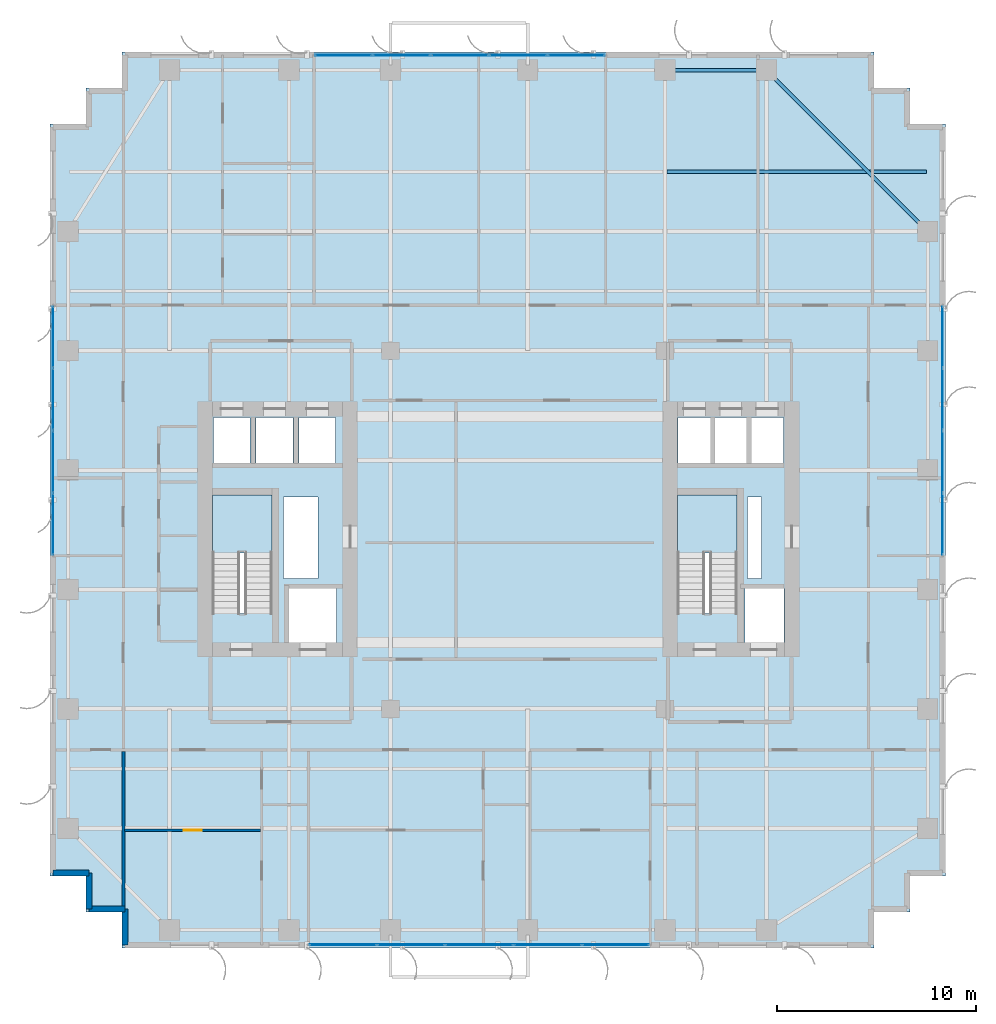
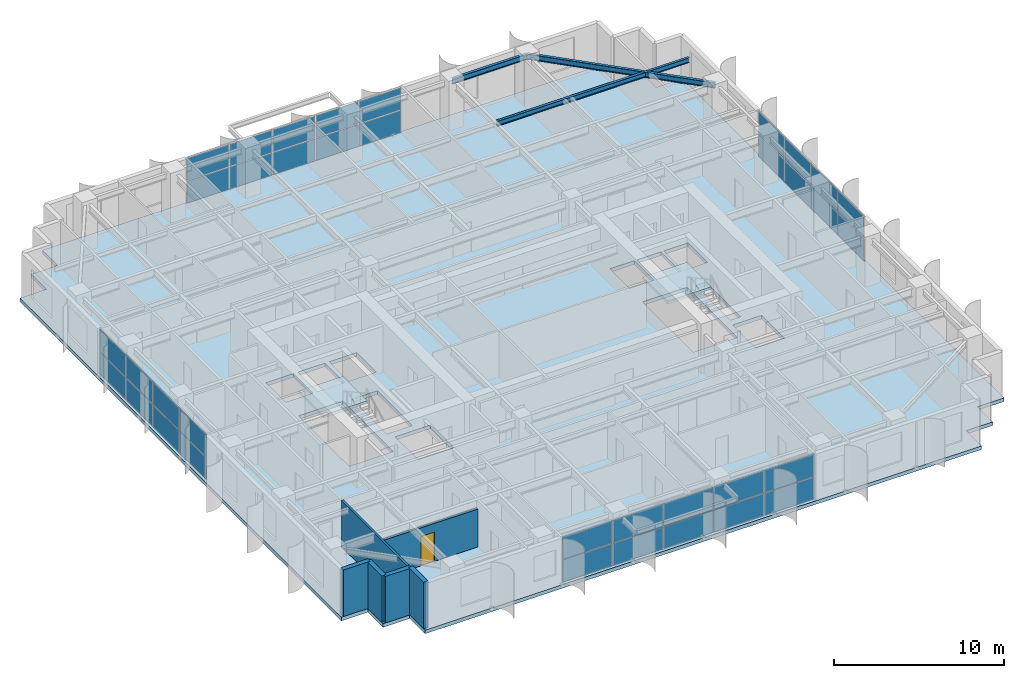
# One storey, part 19 of 27: 36 plates, 6 walls, 3 beams, 3 slabs, 1 door, 1 opening, 6 elements without a shape of their own.
"""IFC4 building model written with IfcOpenShell, lengths in metres."""

from ifc_helpers import new_model, si_unit, direction, frame, frame_2d, origin, origin_2d, place, context, subcontext, project, spatial, polyline, rectangle, i_section, outline, extrude, source, transform, mapped, material, layer, layer_set, material_profile, profile_set, type_object, element, fill, aggregate, save


model = new_model("IFC4")

# Units and contexts
model_context = context("Model", 3, precision=1e-05, world=origin(), true_north=direction((0.0, 1.0)))
body_context = subcontext(model_context, "Body", "Model", "MODEL_VIEW")
ifc_project = project(units=[si_unit("LENGTHUNIT", "METRE"), si_unit("AREAUNIT", "SQUARE_METRE"), si_unit("VOLUMEUNIT", "CUBIC_METRE"), si_unit("PLANEANGLEUNIT", "RADIAN"), si_unit("MASSUNIT", "GRAM", prefix="KILO")], contexts=[model_context])

# Site, building, storey
site_placement = place(None, origin())
site = spatial("IfcSite", under=ifc_project, at=site_placement, CompositionType="ELEMENT")
building_placement = place(site_placement, origin())
building = spatial("IfcBuilding", under=site, at=building_placement, Name="Khoralis Quay Care Tower", CompositionType="ELEMENT")
storey_placement = place(building_placement, frame((0.0, 0.0, 105.300048828125)))
storey = spatial("IfcBuildingStorey", under=building, at=storey_placement, Name="L27", CompositionType="ELEMENT", Elevation=105.300048828125)

# Beams
ifc_material_1 = material(Name="Steel S355", Category="steel")
ifc_material_profile_1 = material_profile(ifc_material_1, i_section(OverallWidth=0.179931640625, OverallDepth=0.39990234375, WebThickness=0.008544921875, FlangeThickness=0.013427734375, FilletRadius=0.02099609375, at=origin_2d()), Name="Steel S355")
ifc_profile_set_1 = profile_set([ifc_material_profile_1], Name="Steel S355")
beam_type_1 = type_object("IfcBeamType", Name="BM-IPE400", PredefinedType="SPANDREL", material=ifc_profile_set_1)
shared_shape_1 = source(origin(), body_context, "Body", "SweptSolid", [
    extrude(i_section(OverallWidth=0.179931640625, OverallDepth=0.39990234375, WebThickness=0.008544921875, FlangeThickness=0.013427734375, FilletRadius=0.02099609375, at=origin_2d()), origin(), (0.0, 0.0, 1.0), 5.10009765625),
])
beam_1_placement = place(storey_placement, frame((30.89990234375, 44.10009765625, 3.139892578125), z_axis=(1.0, 0.0, 0.0), x_axis=(0.0, 1.0, 0.0)))
element("IfcBeam", 1, at=beam_1_placement, inside=storey, type_object=beam_type_1, Name="BM-TSP-L27-10", PredefinedType="SPANDREL", context=body_context, shape_type="MappedRepresentation", body=[
    mapped(shared_shape_1, transform((0.0, 0.0, 0.0), scale=1.0)),
])
shared_shape_2 = source(origin(), body_context, "Body", "SweptSolid", [
    extrude(i_section(OverallWidth=0.179931640625, OverallDepth=0.39990234375, WebThickness=0.008544921875, FlangeThickness=0.013427734375, FilletRadius=0.02099609375, at=origin_2d()), origin(), (0.0, 0.0, 1.0), 11.455322265625),
])
beam_2_placement = place(storey_placement, frame((36.0, 44.10009765625, 3.139892578125), z_axis=(0.707106781187, -0.707106781187, 0.0), x_axis=(0.707106781187, 0.707106781187, 0.0)))
element("IfcBeam", 2, at=beam_2_placement, inside=storey, type_object=beam_type_1, Name="BM-TCR-L27-24", PredefinedType="SPANDREL", context=body_context, shape_type="MappedRepresentation", body=[
    mapped(shared_shape_2, transform((0.0, 0.0, 0.0), scale=1.0)),
])
ifc_material_profile_2 = material_profile(ifc_material_1, i_section(OverallWidth=0.1708984375, OverallDepth=0.35498046875, WebThickness=0.007080078125, FlangeThickness=0.01171875, FilletRadius=0.012939453125, at=origin_2d()), Name="Steel S355")
ifc_profile_set_2 = profile_set([ifc_material_profile_2], Name="Steel S355")
beam_type_2 = type_object("IfcBeamType", Name="BM-W360X51", PredefinedType="JOIST", material=ifc_profile_set_2)
shared_shape_3 = source(origin(), body_context, "Body", "SweptSolid", [
    extrude(i_section(OverallWidth=0.1708984375, OverallDepth=0.35498046875, WebThickness=0.007080078125, FlangeThickness=0.01171875, FilletRadius=0.012939453125, at=origin_2d()), origin(), (0.0, 0.0, 1.0), 13.030029296875),
])
beam_3_placement = place(storey_placement, frame((30.993896484375, 39.0, 3.162353515625), z_axis=(1.0, 0.0, 0.0), x_axis=(0.0, 1.0, 0.0)))
element("IfcBeam", 3, at=beam_3_placement, inside=storey, type_object=beam_type_2, Name="BM-TJS-L27-32", PredefinedType="JOIST", context=body_context, shape_type="MappedRepresentation", body=[
    mapped(shared_shape_3, transform((0.0, 0.0, 0.0), scale=1.0)),
])

# Stair, slab
ifc_material_2 = material(Name="Precast concrete C45/55", Category="concrete")
stair_type = type_object("IfcStairType", Name="ST-TWR-DOGLEG-1400", PredefinedType="HALF_TURN_STAIR", material=ifc_material_2)
stair_1_placement = place(storey_placement, origin())
stair_1 = element("IfcStair", 4, at=stair_1_placement, inside=storey, type_object=stair_type, Name="L27 West Core Exit Stair ST-T1", PredefinedType="HALF_TURN_STAIR")
ifc_layer_1 = layer(ifc_material_2, 0.199951171875)
ifc_layer_set_1 = layer_set([ifc_layer_1], Name="Precast concrete C45/55")
slab_type_1 = type_object("IfcSlabType", Name="SLB-LANDING-200", PredefinedType="LANDING", material=ifc_layer_set_1)
slab_1_placement = place(storey_placement, frame((0.0, 0.0, 1.599853515625)))
slab_1 = element("IfcSlab", 5, at=slab_1_placement, type_object=slab_type_1, Name="ST-T1 landing 1", PredefinedType="LANDING", context=body_context, shape_type="SweptSolid", body=[
    extrude(outline(polyline([(11.14990234375, 19.840087890625), (11.14990234375, 22.75), (8.14990234375, 22.75), (8.14990234375, 19.840087890625), (11.14990234375, 19.840087890625)])), origin(), (0.0, 0.0, 1.0), 0.2001953125),
])
aggregate(stair_1, [slab_1])

stair_2_placement = place(storey_placement, origin())
stair_2 = element("IfcStair", 6, at=stair_2_placement, inside=storey, type_object=stair_type, Name="L27 East Core Exit Stair ST-T2", PredefinedType="HALF_TURN_STAIR")
slab_2_placement = place(storey_placement, frame((0.0, 0.0, 1.599853515625)))
slab_2 = element("IfcSlab", 7, at=slab_2_placement, type_object=slab_type_1, Name="ST-T2 landing 1", PredefinedType="LANDING", context=body_context, shape_type="SweptSolid", body=[
    extrude(outline(polyline([(34.52001953125, 19.840087890625), (34.52001953125, 22.75), (31.52001953125, 22.75), (31.52001953125, 19.840087890625), (34.52001953125, 19.840087890625)])), origin(), (0.0, 0.0, 1.0), 0.2001953125),
])
aggregate(stair_2, [slab_2])

# Slab
ifc_material_3 = material(Name="Concrete C40/50", Category="concrete")
ifc_layer_2 = layer(ifc_material_3, 0.260009765625)
ifc_layer_set_2 = layer_set([ifc_layer_2], Name="Concrete C40/50")
slab_type_2 = type_object("IfcSlabType", Name="SLB-TWR-260", PredefinedType="FLOOR", material=ifc_layer_set_2)
slab_3_placement = place(storey_placement, frame((0.0, 0.0, -0.260009765625)))
element("IfcSlab", 8, at=slab_3_placement, inside=storey, type_object=slab_type_2, Name="Tower Floor Slab L27", PredefinedType="FLOOR", context=body_context, shape_type="SweptSolid", body=[
    extrude(outline(polyline([(3.60009765625, 0.0), (41.39990234375, 0.0), (41.39990234375, 1.800048828125), (43.199951171875, 1.800048828125), (43.199951171875, 3.60009765625), (45.0, 3.60009765625), (45.0, 41.39990234375), (43.199951171875, 41.39990234375), (43.199951171875, 43.199951171875), (41.39990234375, 43.199951171875), (41.39990234375, 45.0), (3.60009765625, 45.0), (3.60009765625, 43.199951171875), (1.800048828125, 43.199951171875), (1.800048828125, 41.39990234375), (0.0, 41.39990234375), (0.0, 3.60009765625), (1.800048828125, 3.60009765625), (1.800048828125, 1.800048828125), (3.60009765625, 1.800048828125), (3.60009765625, 0.0)]), holes=[polyline([(11.14990234375, 16.800048828125), (11.14990234375, 22.75), (8.14990234375, 22.75), (8.14990234375, 16.800048828125), (11.14990234375, 16.800048828125)]), polyline([(34.52001953125, 16.800048828125), (34.52001953125, 22.75), (31.52001953125, 22.75), (31.52001953125, 16.800048828125), (34.52001953125, 16.800048828125)]), polyline([(12.0, 15.35009765625), (14.39990234375, 15.35009765625), (14.39990234375, 18.050048828125), (12.0, 18.050048828125), (12.0, 15.35009765625)]), polyline([(34.919921875, 15.35009765625), (36.8798828125, 15.35009765625), (36.8798828125, 18.050048828125), (34.919921875, 18.050048828125), (34.919921875, 15.35009765625)]), polyline([(8.199951171875, 24.35009765625), (10.050048828125, 24.35009765625), (10.050048828125, 26.64990234375), (8.199951171875, 26.64990234375), (8.199951171875, 24.35009765625)]), polyline([(31.550048828125, 24.35009765625), (33.199951171875, 24.35009765625), (33.199951171875, 26.64990234375), (31.550048828125, 26.64990234375), (31.550048828125, 24.35009765625)]), polyline([(10.35009765625, 24.35009765625), (12.199951171875, 24.35009765625), (12.199951171875, 26.64990234375), (10.35009765625, 26.64990234375), (10.35009765625, 24.35009765625)]), polyline([(33.3798828125, 24.35009765625), (35.030029296875, 24.35009765625), (35.030029296875, 26.64990234375), (33.3798828125, 26.64990234375), (33.3798828125, 24.35009765625)]), polyline([(12.5, 24.35009765625), (14.35009765625, 24.35009765625), (14.35009765625, 26.64990234375), (12.5, 26.64990234375), (12.5, 24.35009765625)]), polyline([(35.199951171875, 24.35009765625), (36.85009765625, 24.35009765625), (36.85009765625, 26.64990234375), (35.199951171875, 26.64990234375), (35.199951171875, 24.35009765625)]), polyline([(11.719970703125, 18.550048828125), (13.449951171875, 18.550048828125), (13.449951171875, 22.64990234375), (11.719970703125, 22.64990234375), (11.719970703125, 18.550048828125)]), polyline([(35.050048828125, 18.550048828125), (35.75, 18.550048828125), (35.75, 22.64990234375), (35.050048828125, 22.64990234375), (35.050048828125, 18.550048828125)])]), origin(), (0.0, 0.0, 1.0), 0.260009765625),
])

# Curtain wall, plates
ifc_material_4 = material(Name="Pale anodised aluminium", Category="aluminium")
ifc_layer_3 = layer(ifc_material_4, 0.169921875)
ifc_layer_set_3 = layer_set([ifc_layer_3], Name="Pale anodised aluminium")
curtain_wall_type = type_object("IfcCurtainWallType", Name="CW-SYS-Z2", PredefinedType="NOTDEFINED", material=ifc_layer_set_3)
curtain_wall_1_placement = place(storey_placement, origin())
curtain_wall_1 = element("IfcCurtainWall", 9, at=curtain_wall_1_placement, inside=storey, type_object=curtain_wall_type, Name="L27 Unitised Curtain Wall CW-L27-P1-E0", PredefinedType="NOTDEFINED")
ifc_material_5 = material(Name="Low-E solar-control double glazing", Category="glass")
ifc_layer_4 = layer(ifc_material_5, 0.031982421875)
ifc_layer_set_4 = layer_set([ifc_layer_4], Name="Low-E solar-control double glazing")
plate_type = type_object("IfcPlateType", Name="PNL-VIS-32", PredefinedType="CURTAIN_PANEL", material=ifc_layer_set_4)
shared_shape_4 = source(origin(), body_context, "Body", "SweptSolid", [
    extrude(rectangle(XDim=3.343994140625, YDim=0.028076171875, at=origin_2d()), origin(), (0.0, 0.0, 1.0), 1.580078125),
])
plate_1_placement = place(storey_placement, frame((14.7119140625, 0.14990234375, 0.059814453125), z_axis=(0.0, 0.0, 1.0), x_axis=(1.0, 0.0, 0.0)))
plate_1 = element("IfcPlate", 10, at=plate_1_placement, type_object=plate_type, Name="CW2 panel 1.1", PredefinedType="CURTAIN_PANEL", context=body_context, shape_type="MappedRepresentation", body=[
    mapped(shared_shape_4, transform((0.0, 0.0, 0.0), scale=1.0)),
])
plate_2_placement = place(storey_placement, frame((14.7119140625, 0.14990234375, 1.699951171875), z_axis=(0.0, 0.0, 1.0), x_axis=(1.0, 0.0, 0.0)))
plate_2 = element("IfcPlate", 11, at=plate_2_placement, type_object=plate_type, Name="CW2 panel 1.2", PredefinedType="CURTAIN_PANEL", context=body_context, shape_type="MappedRepresentation", body=[
    mapped(shared_shape_4, transform((0.0, 0.0, 0.0), scale=1.0)),
])
plate_3_placement = place(storey_placement, frame((28.41796875, 0.14990234375, 0.059814453125), z_axis=(0.0, 0.0, 1.0), x_axis=(1.0, 0.0, 0.0)))
plate_3 = element("IfcPlate", 12, at=plate_3_placement, type_object=plate_type, Name="CW2 panel 5.1", PredefinedType="CURTAIN_PANEL", context=body_context, shape_type="MappedRepresentation", body=[
    mapped(shared_shape_4, transform((0.0, 0.0, 0.0), scale=1.0)),
])
plate_4_placement = place(storey_placement, frame((28.41796875, 0.14990234375, 1.699951171875), z_axis=(0.0, 0.0, 1.0), x_axis=(1.0, 0.0, 0.0)))
plate_4 = element("IfcPlate", 13, at=plate_4_placement, type_object=plate_type, Name="CW2 panel 5.2", PredefinedType="CURTAIN_PANEL", context=body_context, shape_type="MappedRepresentation", body=[
    mapped(shared_shape_4, transform((0.0, 0.0, 0.0), scale=1.0)),
])
shared_shape_5 = source(origin(), body_context, "Body", "SweptSolid", [
    extrude(rectangle(XDim=3.3740234375, YDim=0.028076171875, at=origin_2d()), origin(), (0.0, 0.0, 1.0), 1.580078125),
])
plate_5_placement = place(storey_placement, frame((18.131103515625, 0.14990234375, 0.059814453125), z_axis=(0.0, 0.0, 1.0), x_axis=(1.0, 0.0, 0.0)))
plate_5 = element("IfcPlate", 14, at=plate_5_placement, type_object=plate_type, Name="CW2 panel 2.1", PredefinedType="CURTAIN_PANEL", context=body_context, shape_type="MappedRepresentation", body=[
    mapped(shared_shape_5, transform((0.0, 0.0, 0.0), scale=1.0)),
])
plate_6_placement = place(storey_placement, frame((18.131103515625, 0.14990234375, 1.699951171875), z_axis=(0.0, 0.0, 1.0), x_axis=(1.0, 0.0, 0.0)))
plate_6 = element("IfcPlate", 15, at=plate_6_placement, type_object=plate_type, Name="CW2 panel 2.2", PredefinedType="CURTAIN_PANEL", context=body_context, shape_type="MappedRepresentation", body=[
    mapped(shared_shape_5, transform((0.0, 0.0, 0.0), scale=1.0)),
])
plate_7_placement = place(storey_placement, frame((21.56494140625, 0.14990234375, 0.059814453125), z_axis=(0.0, 0.0, 1.0), x_axis=(1.0, 0.0, 0.0)))
plate_7 = element("IfcPlate", 16, at=plate_7_placement, type_object=plate_type, Name="CW2 panel 3.1", PredefinedType="CURTAIN_PANEL", context=body_context, shape_type="MappedRepresentation", body=[
    mapped(shared_shape_5, transform((0.0, 0.0, 0.0), scale=1.0)),
])
plate_8_placement = place(storey_placement, frame((21.56494140625, 0.14990234375, 1.699951171875), z_axis=(0.0, 0.0, 1.0), x_axis=(1.0, 0.0, 0.0)))
plate_8 = element("IfcPlate", 17, at=plate_8_placement, type_object=plate_type, Name="CW2 panel 3.2", PredefinedType="CURTAIN_PANEL", context=body_context, shape_type="MappedRepresentation", body=[
    mapped(shared_shape_5, transform((0.0, 0.0, 0.0), scale=1.0)),
])
plate_9_placement = place(storey_placement, frame((24.9990234375, 0.14990234375, 0.059814453125), z_axis=(0.0, 0.0, 1.0), x_axis=(1.0, 0.0, 0.0)))
plate_9 = element("IfcPlate", 18, at=plate_9_placement, type_object=plate_type, Name="CW2 panel 4.1", PredefinedType="CURTAIN_PANEL", context=body_context, shape_type="MappedRepresentation", body=[
    mapped(shared_shape_5, transform((0.0, 0.0, 0.0), scale=1.0)),
])
plate_10_placement = place(storey_placement, frame((24.9990234375, 0.14990234375, 1.699951171875), z_axis=(0.0, 0.0, 1.0), x_axis=(1.0, 0.0, 0.0)))
plate_10 = element("IfcPlate", 19, at=plate_10_placement, type_object=plate_type, Name="CW2 panel 4.2", PredefinedType="CURTAIN_PANEL", context=body_context, shape_type="MappedRepresentation", body=[
    mapped(shared_shape_5, transform((0.0, 0.0, 0.0), scale=1.0)),
])
aggregate(curtain_wall_1, [plate_1, plate_2, plate_5, plate_6, plate_7, plate_8, plate_9, plate_10, plate_3, plate_4])

curtain_wall_2_placement = place(storey_placement, origin())
curtain_wall_2 = element("IfcCurtainWall", 20, at=curtain_wall_2_placement, inside=storey, type_object=curtain_wall_type, Name="L27 Unitised Curtain Wall CW-L27-P1-E5", PredefinedType="NOTDEFINED")
shared_shape_6 = source(origin(), body_context, "Body", "SweptSolid", [
    extrude(rectangle(XDim=3.054931640625, YDim=0.028076171875, at=origin_2d()), origin(), (0.0, 0.0, 1.0), 1.580078125),
])
plate_11_placement = place(storey_placement, frame((44.85009765625, 21.28759765625, 0.059814453125), z_axis=(0.0, 0.0, 1.0), x_axis=(0.0, 1.0, 0.0)))
plate_11 = element("IfcPlate", 21, at=plate_11_placement, type_object=plate_type, Name="CW2 panel 1.1", PredefinedType="CURTAIN_PANEL", context=body_context, shape_type="MappedRepresentation", body=[
    mapped(shared_shape_6, transform((0.0, 0.0, 0.0), scale=1.0)),
])
plate_12_placement = place(storey_placement, frame((44.85009765625, 21.28759765625, 1.699951171875), z_axis=(0.0, 0.0, 1.0), x_axis=(0.0, 1.0, 0.0)))
plate_12 = element("IfcPlate", 22, at=plate_12_placement, type_object=plate_type, Name="CW2 panel 1.2", PredefinedType="CURTAIN_PANEL", context=body_context, shape_type="MappedRepresentation", body=[
    mapped(shared_shape_6, transform((0.0, 0.0, 0.0), scale=1.0)),
])
plate_13_placement = place(storey_placement, frame((44.85009765625, 30.6923828125, 0.059814453125), z_axis=(0.0, 0.0, 1.0), x_axis=(0.0, 1.0, 0.0)))
plate_13 = element("IfcPlate", 23, at=plate_13_placement, type_object=plate_type, Name="CW2 panel 4.1", PredefinedType="CURTAIN_PANEL", context=body_context, shape_type="MappedRepresentation", body=[
    mapped(shared_shape_6, transform((0.0, 0.0, 0.0), scale=1.0)),
])
plate_14_placement = place(storey_placement, frame((44.85009765625, 30.6923828125, 1.699951171875), z_axis=(0.0, 0.0, 1.0), x_axis=(0.0, 1.0, 0.0)))
plate_14 = element("IfcPlate", 24, at=plate_14_placement, type_object=plate_type, Name="CW2 panel 4.2", PredefinedType="CURTAIN_PANEL", context=body_context, shape_type="MappedRepresentation", body=[
    mapped(shared_shape_6, transform((0.0, 0.0, 0.0), scale=1.0)),
])

curtain_wall_3_placement = place(storey_placement, origin())
curtain_wall_3 = element("IfcCurtainWall", 25, at=curtain_wall_3_placement, inside=storey, type_object=curtain_wall_type, Name="L27 Unitised Curtain Wall CW-L27-P1-E15", PredefinedType="NOTDEFINED")
plate_15_placement = place(storey_placement, frame((0.14990234375, 30.6923828125, 0.059814453125), z_axis=(0.0, 0.0, 1.0), x_axis=(0.0, -1.0, 0.0)))
plate_15 = element("IfcPlate", 26, at=plate_15_placement, type_object=plate_type, Name="CW2 panel 1.1", PredefinedType="CURTAIN_PANEL", context=body_context, shape_type="MappedRepresentation", body=[
    mapped(shared_shape_6, transform((0.0, 0.0, 0.0), scale=1.0)),
])
plate_16_placement = place(storey_placement, frame((0.14990234375, 30.6923828125, 1.699951171875), z_axis=(0.0, 0.0, 1.0), x_axis=(0.0, -1.0, 0.0)))
plate_16 = element("IfcPlate", 27, at=plate_16_placement, type_object=plate_type, Name="CW2 panel 1.2", PredefinedType="CURTAIN_PANEL", context=body_context, shape_type="MappedRepresentation", body=[
    mapped(shared_shape_6, transform((0.0, 0.0, 0.0), scale=1.0)),
])
plate_17_placement = place(storey_placement, frame((0.14990234375, 21.28759765625, 0.059814453125), z_axis=(0.0, 0.0, 1.0), x_axis=(0.0, -1.0, 0.0)))
plate_17 = element("IfcPlate", 28, at=plate_17_placement, type_object=plate_type, Name="CW2 panel 4.1", PredefinedType="CURTAIN_PANEL", context=body_context, shape_type="MappedRepresentation", body=[
    mapped(shared_shape_6, transform((0.0, 0.0, 0.0), scale=1.0)),
])
plate_18_placement = place(storey_placement, frame((0.14990234375, 21.28759765625, 1.699951171875), z_axis=(0.0, 0.0, 1.0), x_axis=(0.0, -1.0, 0.0)))
plate_18 = element("IfcPlate", 29, at=plate_18_placement, type_object=plate_type, Name="CW2 panel 4.2", PredefinedType="CURTAIN_PANEL", context=body_context, shape_type="MappedRepresentation", body=[
    mapped(shared_shape_6, transform((0.0, 0.0, 0.0), scale=1.0)),
])

# Plate
shared_shape_7 = source(origin(), body_context, "Body", "SweptSolid", [
    extrude(rectangle(XDim=3.0849609375, YDim=0.028076171875, at=origin_2d()), origin(), (0.0, 0.0, 1.0), 1.580078125),
])
plate_19_placement = place(storey_placement, frame((44.85009765625, 24.41748046875, 0.059814453125), z_axis=(0.0, 0.0, 1.0), x_axis=(0.0, 1.0, 0.0)))
plate_19 = element("IfcPlate", 30, at=plate_19_placement, type_object=plate_type, Name="CW2 panel 2.1", PredefinedType="CURTAIN_PANEL", context=body_context, shape_type="MappedRepresentation", body=[
    mapped(shared_shape_7, transform((0.0, 0.0, 0.0), scale=1.0)),
])

plate_20_placement = place(storey_placement, frame((44.85009765625, 24.41748046875, 1.699951171875), z_axis=(0.0, 0.0, 1.0), x_axis=(0.0, 1.0, 0.0)))
plate_20 = element("IfcPlate", 31, at=plate_20_placement, type_object=plate_type, Name="CW2 panel 2.2", PredefinedType="CURTAIN_PANEL", context=body_context, shape_type="MappedRepresentation", body=[
    mapped(shared_shape_7, transform((0.0, 0.0, 0.0), scale=1.0)),
])

plate_21_placement = place(storey_placement, frame((44.85009765625, 27.5625, 0.059814453125), z_axis=(0.0, 0.0, 1.0), x_axis=(0.0, 1.0, 0.0)))
plate_21 = element("IfcPlate", 32, at=plate_21_placement, type_object=plate_type, Name="CW2 panel 3.1", PredefinedType="CURTAIN_PANEL", context=body_context, shape_type="MappedRepresentation", body=[
    mapped(shared_shape_7, transform((0.0, 0.0, 0.0), scale=1.0)),
])

plate_22_placement = place(storey_placement, frame((44.85009765625, 27.5625, 1.699951171875), z_axis=(0.0, 0.0, 1.0), x_axis=(0.0, 1.0, 0.0)))
plate_22 = element("IfcPlate", 33, at=plate_22_placement, type_object=plate_type, Name="CW2 panel 3.2", PredefinedType="CURTAIN_PANEL", context=body_context, shape_type="MappedRepresentation", body=[
    mapped(shared_shape_7, transform((0.0, 0.0, 0.0), scale=1.0)),
])

aggregate(curtain_wall_2, [plate_11, plate_12, plate_19, plate_20, plate_21, plate_22, plate_13, plate_14])

plate_23_placement = place(storey_placement, frame((0.14990234375, 27.5625, 0.059814453125), z_axis=(0.0, 0.0, 1.0), x_axis=(0.0, -1.0, 0.0)))
plate_23 = element("IfcPlate", 34, at=plate_23_placement, type_object=plate_type, Name="CW2 panel 2.1", PredefinedType="CURTAIN_PANEL", context=body_context, shape_type="MappedRepresentation", body=[
    mapped(shared_shape_7, transform((0.0, 0.0, 0.0), scale=1.0)),
])

plate_24_placement = place(storey_placement, frame((0.14990234375, 27.5625, 1.699951171875), z_axis=(0.0, 0.0, 1.0), x_axis=(0.0, -1.0, 0.0)))
plate_24 = element("IfcPlate", 35, at=plate_24_placement, type_object=plate_type, Name="CW2 panel 2.2", PredefinedType="CURTAIN_PANEL", context=body_context, shape_type="MappedRepresentation", body=[
    mapped(shared_shape_7, transform((0.0, 0.0, 0.0), scale=1.0)),
])

plate_25_placement = place(storey_placement, frame((0.14990234375, 24.41748046875, 0.059814453125), z_axis=(0.0, 0.0, 1.0), x_axis=(0.0, -1.0, 0.0)))
plate_25 = element("IfcPlate", 36, at=plate_25_placement, type_object=plate_type, Name="CW2 panel 3.1", PredefinedType="CURTAIN_PANEL", context=body_context, shape_type="MappedRepresentation", body=[
    mapped(shared_shape_7, transform((0.0, 0.0, 0.0), scale=1.0)),
])

plate_26_placement = place(storey_placement, frame((0.14990234375, 24.41748046875, 1.699951171875), z_axis=(0.0, 0.0, 1.0), x_axis=(0.0, -1.0, 0.0)))
plate_26 = element("IfcPlate", 37, at=plate_26_placement, type_object=plate_type, Name="CW2 panel 3.2", PredefinedType="CURTAIN_PANEL", context=body_context, shape_type="MappedRepresentation", body=[
    mapped(shared_shape_7, transform((0.0, 0.0, 0.0), scale=1.0)),
])

aggregate(curtain_wall_3, [plate_15, plate_16, plate_23, plate_24, plate_25, plate_26, plate_17, plate_18])

# Curtain wall, plates
curtain_wall_4_placement = place(storey_placement, origin())
curtain_wall_4 = element("IfcCurtainWall", 38, at=curtain_wall_4_placement, inside=storey, type_object=curtain_wall_type, Name="L27 Unitised Curtain Wall CW-L27-P1-E10", PredefinedType="NOTDEFINED")
shared_shape_8 = source(origin(), body_context, "Body", "SweptSolid", [
    extrude(rectangle(XDim=2.842041015625, YDim=0.028076171875, at=origin_2d()), origin(), (0.0, 0.0, 1.0), 1.580078125),
])
plate_27_placement = place(storey_placement, frame((26.43896484375, 44.85009765625, 0.059814453125), z_axis=(0.0, 0.0, 1.0), x_axis=(-1.0, 0.0, 0.0)))
plate_27 = element("IfcPlate", 39, at=plate_27_placement, type_object=plate_type, Name="CW2 panel 1.1", PredefinedType="CURTAIN_PANEL", context=body_context, shape_type="MappedRepresentation", body=[
    mapped(shared_shape_8, transform((0.0, 0.0, 0.0), scale=1.0)),
])
plate_28_placement = place(storey_placement, frame((26.43896484375, 44.85009765625, 1.699951171875), z_axis=(0.0, 0.0, 1.0), x_axis=(-1.0, 0.0, 0.0)))
plate_28 = element("IfcPlate", 40, at=plate_28_placement, type_object=plate_type, Name="CW2 panel 1.2", PredefinedType="CURTAIN_PANEL", context=body_context, shape_type="MappedRepresentation", body=[
    mapped(shared_shape_8, transform((0.0, 0.0, 0.0), scale=1.0)),
])
plate_29_placement = place(storey_placement, frame((14.740966796875, 44.85009765625, 0.059814453125), z_axis=(0.0, 0.0, 1.0), x_axis=(-1.0, 0.0, 0.0)))
plate_29 = element("IfcPlate", 41, at=plate_29_placement, type_object=plate_type, Name="CW2 panel 5.1", PredefinedType="CURTAIN_PANEL", context=body_context, shape_type="MappedRepresentation", body=[
    mapped(shared_shape_8, transform((0.0, 0.0, 0.0), scale=1.0)),
])
plate_30_placement = place(storey_placement, frame((14.740966796875, 44.85009765625, 1.699951171875), z_axis=(0.0, 0.0, 1.0), x_axis=(-1.0, 0.0, 0.0)))
plate_30 = element("IfcPlate", 42, at=plate_30_placement, type_object=plate_type, Name="CW2 panel 5.2", PredefinedType="CURTAIN_PANEL", context=body_context, shape_type="MappedRepresentation", body=[
    mapped(shared_shape_8, transform((0.0, 0.0, 0.0), scale=1.0)),
])
shared_shape_9 = source(origin(), body_context, "Body", "SweptSolid", [
    extrude(rectangle(XDim=2.8720703125, YDim=0.028076171875, at=origin_2d()), origin(), (0.0, 0.0, 1.0), 1.580078125),
])
plate_31_placement = place(storey_placement, frame((23.52197265625, 44.85009765625, 0.059814453125), z_axis=(0.0, 0.0, 1.0), x_axis=(-1.0, 0.0, 0.0)))
plate_31 = element("IfcPlate", 43, at=plate_31_placement, type_object=plate_type, Name="CW2 panel 2.1", PredefinedType="CURTAIN_PANEL", context=body_context, shape_type="MappedRepresentation", body=[
    mapped(shared_shape_9, transform((0.0, 0.0, 0.0), scale=1.0)),
])
plate_32_placement = place(storey_placement, frame((23.52197265625, 44.85009765625, 1.699951171875), z_axis=(0.0, 0.0, 1.0), x_axis=(-1.0, 0.0, 0.0)))
plate_32 = element("IfcPlate", 44, at=plate_32_placement, type_object=plate_type, Name="CW2 panel 2.2", PredefinedType="CURTAIN_PANEL", context=body_context, shape_type="MappedRepresentation", body=[
    mapped(shared_shape_9, transform((0.0, 0.0, 0.0), scale=1.0)),
])
plate_33_placement = place(storey_placement, frame((20.590087890625, 44.85009765625, 0.059814453125), z_axis=(0.0, 0.0, 1.0), x_axis=(-1.0, 0.0, 0.0)))
plate_33 = element("IfcPlate", 45, at=plate_33_placement, type_object=plate_type, Name="CW2 panel 3.1", PredefinedType="CURTAIN_PANEL", context=body_context, shape_type="MappedRepresentation", body=[
    mapped(shared_shape_9, transform((0.0, 0.0, 0.0), scale=1.0)),
])
plate_34_placement = place(storey_placement, frame((20.590087890625, 44.85009765625, 1.699951171875), z_axis=(0.0, 0.0, 1.0), x_axis=(-1.0, 0.0, 0.0)))
plate_34 = element("IfcPlate", 46, at=plate_34_placement, type_object=plate_type, Name="CW2 panel 3.2", PredefinedType="CURTAIN_PANEL", context=body_context, shape_type="MappedRepresentation", body=[
    mapped(shared_shape_9, transform((0.0, 0.0, 0.0), scale=1.0)),
])
plate_35_placement = place(storey_placement, frame((17.657958984375, 44.85009765625, 0.059814453125), z_axis=(0.0, 0.0, 1.0), x_axis=(-1.0, 0.0, 0.0)))
plate_35 = element("IfcPlate", 47, at=plate_35_placement, type_object=plate_type, Name="CW2 panel 4.1", PredefinedType="CURTAIN_PANEL", context=body_context, shape_type="MappedRepresentation", body=[
    mapped(shared_shape_9, transform((0.0, 0.0, 0.0), scale=1.0)),
])
plate_36_placement = place(storey_placement, frame((17.657958984375, 44.85009765625, 1.699951171875), z_axis=(0.0, 0.0, 1.0), x_axis=(-1.0, 0.0, 0.0)))
plate_36 = element("IfcPlate", 48, at=plate_36_placement, type_object=plate_type, Name="CW2 panel 4.2", PredefinedType="CURTAIN_PANEL", context=body_context, shape_type="MappedRepresentation", body=[
    mapped(shared_shape_9, transform((0.0, 0.0, 0.0), scale=1.0)),
])
aggregate(curtain_wall_4, [plate_27, plate_28, plate_31, plate_32, plate_33, plate_34, plate_35, plate_36, plate_29, plate_30])

# Walls
ifc_layer_5 = layer(ifc_material_2, 0.300048828125)
ifc_layer_set_5 = layer_set([ifc_layer_5], Name="Precast concrete C45/55")
wall_type_1 = type_object("IfcWallType", Name="WL-EXT-REF-300", PredefinedType="SOLIDWALL", material=ifc_layer_set_5)
for number, where, z_axis, x_axis, name in (
    (49, (0.14990234375, 3.75, 0.0), (0.0, 0.0, 1.0), (1.0, 0.0, 0.0), "L27 External Facade Wall WL-EXT-L27-P1-C16"),
    (50, (1.949951171875, 3.75, 0.0), (0.0, 0.0, 1.0), (0.0, -1.0, 0.0), "L27 External Facade Wall WL-EXT-L27-P1-C17"),
    (51, (1.949951171875, 1.949951171875, 0.0), (0.0, 0.0, 1.0), (1.0, 0.0, 0.0), "L27 External Facade Wall WL-EXT-L27-P1-C18"),
    (52, (3.75, 1.949951171875, 0.0), (0.0, 0.0, 1.0), (0.0, -1.0, 0.0), "L27 External Facade Wall WL-EXT-L27-P1-C19"),
):
    element("IfcWall", number, at=place(storey_placement, frame(where, z_axis=z_axis, x_axis=x_axis)), inside=storey, type_object=wall_type_1, Name=name, PredefinedType="SOLIDWALL", context=body_context, shape_type="SweptSolid", body=[
        extrude(rectangle(XDim=1.800048828125, YDim=0.300048828125, at=frame_2d((0.89990234375, 0.0))), origin(), (0.0, 0.0, 1.0), 3.33984375),
    ])
ifc_material_6 = material(Name="Gypsum plasterboard on acoustic metal stud")
ifc_layer_6 = layer(ifc_material_6, 0.139892578125)
ifc_layer_set_6 = layer_set([ifc_layer_6], Name="Gypsum plasterboard on acoustic metal stud")
wall_type_2 = type_object("IfcWallType", Name="WL-UNIT-140", PredefinedType="PARTITIONING", material=ifc_layer_set_6)
wall_1_placement = place(storey_placement, frame((3.679931640625, 1.945068359375, 0.0), z_axis=(0.0, 0.0, 1.0), x_axis=(0.0, 1.0, 0.0)))
element("IfcWall", 53, at=wall_1_placement, inside=storey, type_object=wall_type_2, Name="L27 SB Demising Wall 0", PredefinedType="PARTITIONING", context=body_context, shape_type="SweptSolid", body=[
    extrude(rectangle(XDim=7.91748046875, YDim=0.139892578125, at=frame_2d((3.958740234375, 0.0))), origin(), (0.0, 0.0, 1.0), 3.33984375),
])

# Wall, opening, door
wall_2_placement = place(storey_placement, frame((3.7451171875, 5.89990234375, 0.0), z_axis=(0.0, 0.0, 1.0), x_axis=(1.0, 0.0, 0.0)))
wall_2 = element("IfcWall", 54, at=wall_2_placement, inside=storey, type_object=wall_type_2, Name="Skilled Care Bedroom L27-SB0 Sub-Partition", PredefinedType="PARTITIONING", context=body_context, shape_type="SweptSolid", body=[
    extrude(rectangle(XDim=6.81982421875, YDim=0.139892578125, at=frame_2d((3.409912109375, 0.0))), origin(), (0.0, 0.0, 1.0), 2.722900390625),
])
opening_placement = place(wall_2_placement, frame((2.9599609375, 0.0, 0.0)))
opening = element("IfcOpeningElement", 55, at=opening_placement, cuts=wall_2, Name="Opening WD1", PredefinedType="OPENING", context=body_context, shape_type="SweptSolid", body=[
    extrude(rectangle(XDim=0.89990234375, YDim=2.10009765625, at=frame_2d((0.449951171875, 1.050048828125))), frame((0.0, 0.080078125, 0.0), z_axis=(0.0, -1.0, 0.0), x_axis=(1.0, 0.0, 0.0)), (0.0, 0.0, 1.0), 0.159912109375),
])
ifc_material_7 = material(Name="Acoustic hardwood timber", Category="wood")
door_type = type_object("IfcDoorType", Name="DR-BATH-900X2100", OperationType="NOTDEFINED", PredefinedType="DOOR", material=ifc_material_7)
shared_shape_10 = source(origin(), body_context, "Body", "SweptSolid", [
    extrude(rectangle(XDim=0.89990234375, YDim=2.10009765625, at=frame_2d((0.449951171875, 1.050048828125))), frame((0.0, 0.02490234375, 0.0), z_axis=(0.0, -1.0, 0.0), x_axis=(1.0, 0.0, 0.0)), (0.0, 0.0, 1.0), 0.050048828125),
])
door_placement = place(opening_placement, origin())
door = element("IfcDoor", 56, at=door_placement, inside=storey, type_object=door_type, Name="Private Study & Reading Alcove ARE0 Door", OperationType="SINGLE_SWING_LEFT", OverallHeight=2.10009765625, OverallWidth=0.89990234375, PredefinedType="DOOR", context=body_context, shape_type="MappedRepresentation", body=[
    mapped(shared_shape_10, transform((0.0, 0.0, 0.0), scale=1.0)),
])
fill(opening, door)

save(model, "model.ifc")
